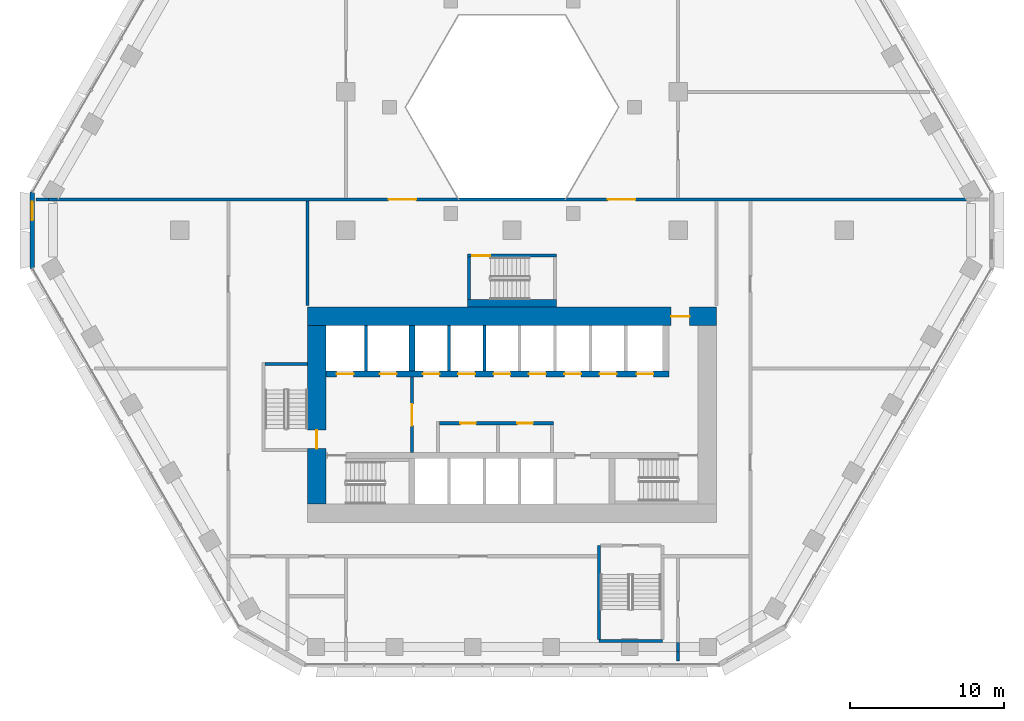
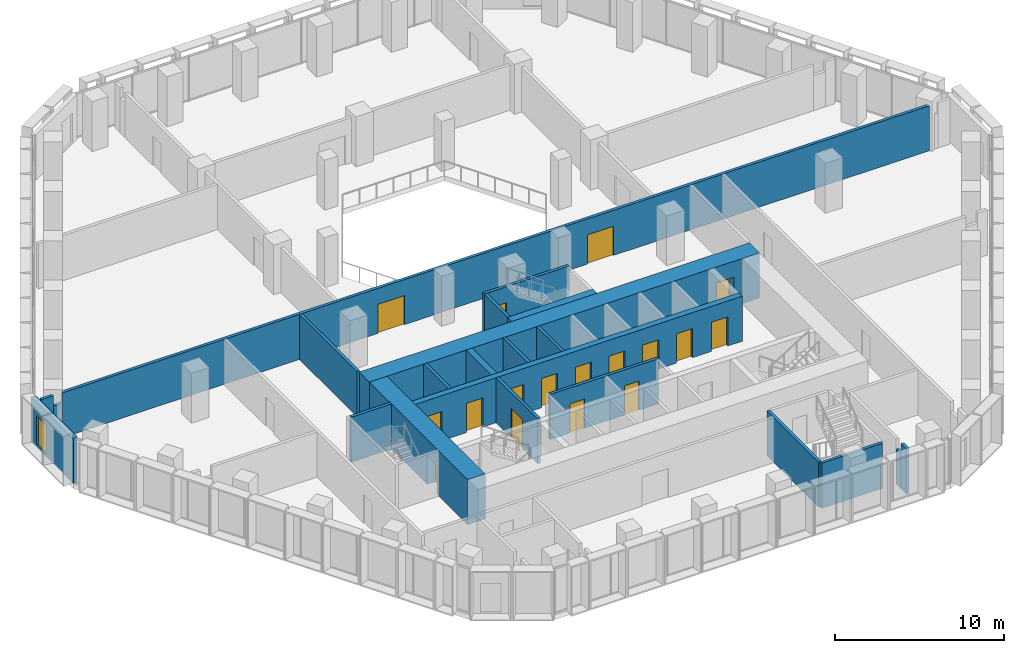
# One storey, part 12 of 22: 22 walls, 17 doors, 1 window, 18 openings.
"""IFC4 building model written with IfcOpenShell, lengths in metres."""

from ifc_helpers import new_model, si_unit, direction, frame, frame_2d, origin, place, context, subcontext, project, spatial, polyline, rectangle, outline, extrude, material, layer, layer_set, type_object, element, fill, save


model = new_model("IFC4")

# Units and contexts
model_context = context("Model", 3, precision=1e-05, world=origin(), true_north=direction((0.0, 1.0)))
body_context = subcontext(model_context, "Body", "Model", "MODEL_VIEW")
ifc_project = project(units=[si_unit("LENGTHUNIT", "METRE"), si_unit("AREAUNIT", "SQUARE_METRE"), si_unit("VOLUMEUNIT", "CUBIC_METRE"), si_unit("PLANEANGLEUNIT", "RADIAN"), si_unit("MASSUNIT", "GRAM", prefix="KILO")], contexts=[model_context])

# Site, building, storey
site_placement = place(None, origin())
site = spatial("IfcSite", under=ifc_project, at=site_placement, CompositionType="ELEMENT")
building_placement = place(site_placement, origin())
building = spatial("IfcBuilding", under=site, at=building_placement, Name="Beryl Residences", CompositionType="ELEMENT")
storey_placement = place(building_placement, frame((0.0, 0.0, 12.60009765625)))
storey = spatial("IfcBuildingStorey", under=building, at=storey_placement, Name="L03", CompositionType="ELEMENT", Elevation=12.60009765625)

# Wall, opening, window
ifc_material_1 = material(Name="Composite metal panel with mineral wool insulation")
ifc_layer_1 = layer(ifc_material_1, 0.300048828125)
ifc_layer_set_1 = layer_set([ifc_layer_1], Name="ES1 pale metal composite panel wall 300 mm")
wall_type_1 = type_object("IfcWallType", Name="ES1 pale metal composite panel wall 300 mm", PredefinedType="SOLIDWALL", material=ifc_layer_set_1)
wall_1_placement = place(storey_placement, frame((-31.199951171875, 2.5, 0.0), z_axis=(0.0, 0.0, 1.0), x_axis=(0.0, -1.0, 0.0)))
wall_1 = element("IfcWall", 1, at=wall_1_placement, inside=storey, type_object=wall_type_1, Name="ES1 external wall L03 NW-SW", PredefinedType="SOLIDWALL", context=body_context, shape_type="SweptSolid", body=[
    extrude(outline(polyline([(0.0, -0.14990234375), (5.0, -0.14990234375), (4.919677734375, 0.14990234375), (0.080322265625, 0.14990234375), (0.0, -0.14990234375)])), origin(), (0.0, 0.0, 1.0), 3.25),
])
opening_1_placement = place(wall_1_placement, frame((0.64990234375, 0.0, 0.14990234375)))
opening_1 = element("IfcOpeningElement", 2, at=opening_1_placement, cuts=wall_1, Name="Opening W2", PredefinedType="OPENING", context=body_context, shape_type="SweptSolid", body=[
    extrude(rectangle(XDim=1.199951171875, YDim=2.10009765625, at=frame_2d((0.60009765625, 1.050048828125))), frame((0.0, 0.159912109375, 0.0), z_axis=(0.0, -1.0, 0.0), x_axis=(1.0, 0.0, 0.0)), (0.0, 0.0, 1.0), 0.320068359375),
])
ifc_material_2 = material(Name="Aluminium and clear glass", Category="aluminium")
window_type = type_object("IfcWindowType", Name="W2 chamfer window 1200 x 2100 mm", PartitioningType="SINGLE_PANEL", PredefinedType="WINDOW", material=ifc_material_2)
window_placement = place(opening_1_placement, origin())
window = element("IfcWindow", 3, at=window_placement, inside=storey, type_object=window_type, Name="W2 window L03 NW-SW 1", OverallHeight=2.10009765625, OverallWidth=1.199951171875, PartitioningType="SINGLE_PANEL", PredefinedType="WINDOW", context=body_context, shape_type="SweptSolid", body=[
    extrude(rectangle(XDim=1.199951171875, YDim=2.10009765625, at=frame_2d((0.60009765625, 1.050048828125))), frame((0.0, 0.030029296875, 0.0), z_axis=(0.0, -1.0, 0.0), x_axis=(1.0, 0.0, 0.0)), (0.0, 0.0, 1.0), 0.06005859375),
])
fill(opening_1, window)

# Wall, opening, door
ifc_material_3 = material(Name="Concrete masonry", Category="masonry")
ifc_layer_2 = layer(ifc_material_3, 0.199951171875)
ifc_layer_set_2 = layer_set([ifc_layer_2], Name="PT13 lobby wall 200 mm")
wall_type_2 = type_object("IfcWallType", Name="PT13 lobby wall 200 mm", PredefinedType="PARTITIONING", material=ifc_layer_set_2)
wall_2_placement = place(storey_placement, frame((-6.5, -14.449951171875, 0.0), z_axis=(0.0, 0.0, 1.0), x_axis=(0.0, 1.0, 0.0)))
wall_2 = element("IfcWall", 4, at=wall_2_placement, inside=storey, type_object=wall_type_2, Name="Lobby wall 06", PredefinedType="PARTITIONING", context=body_context, shape_type="SweptSolid", body=[
    extrude(rectangle(XDim=4.89990234375, YDim=0.199951171875, at=frame_2d((2.449951171875, 0.0))), origin(), (0.0, 0.0, 1.0), 3.25),
])
opening_2_placement = place(wall_2_placement, frame((3.14990234375, 0.0, 0.0), z_axis=(0.0, 0.0, 1.0), x_axis=(-1.0, 0.0, 0.0)))
opening_2 = element("IfcOpeningElement", 5, at=opening_2_placement, cuts=wall_2, Name="Opening FD-FFL", PredefinedType="OPENING", context=body_context, shape_type="SweptSolid", body=[
    extrude(rectangle(XDim=1.39990234375, YDim=2.10009765625, at=frame_2d((0.699951171875, 1.050048828125))), frame((0.0, 0.10986328125, 0.0), z_axis=(0.0, -1.0, 0.0), x_axis=(1.0, 0.0, 0.0)), (0.0, 0.0, 1.0), 0.219970703125),
])
ifc_material_4 = material(Name="Steel door leaf in steel frame", Category="steel")
door_type_1 = type_object("IfcDoorType", Name="D5 lobby door 1400 x 2100 mm", OperationType="DOUBLE_DOOR_SINGLE_SWING", PredefinedType="DOOR", material=ifc_material_4)
door_1_placement = place(opening_2_placement, origin())
door_1 = element("IfcDoor", 6, at=door_1_placement, inside=storey, type_object=door_type_1, Name="Door FD-FFL L03 001", OperationType="DOUBLE_DOOR_SINGLE_SWING", OverallHeight=2.10009765625, OverallWidth=1.39990234375, PredefinedType="DOOR", context=body_context, shape_type="SweptSolid", body=[
    extrude(rectangle(XDim=1.39990234375, YDim=2.10009765625, at=frame_2d((0.699951171875, 1.050048828125))), frame((0.0, 0.02490234375, 0.0), z_axis=(0.0, -1.0, 0.0), x_axis=(1.0, 0.0, 0.0)), (0.0, 0.0, 1.0), 0.050048828125),
])
fill(opening_2, door_1)

# Wall, openings, doors
wall_3_placement = place(storey_placement, frame((-4.699951171875, -12.550048828125, 0.0), z_axis=(0.0, 0.0, 1.0), x_axis=(1.0, 0.0, 0.0)))
wall_3 = element("IfcWall", 7, at=wall_3_placement, inside=storey, type_object=wall_type_2, Name="Lobby wall 08", PredefinedType="PARTITIONING", context=body_context, shape_type="SweptSolid", body=[
    extrude(rectangle(XDim=7.39990234375, YDim=0.199951171875, at=frame_2d((3.699951171875, 0.0))), origin(), (0.0, 0.0, 1.0), 3.25),
])
opening_3_placement = place(wall_3_placement, frame((2.35009765625, 0.0, 0.0), z_axis=(0.0, 0.0, 1.0), x_axis=(-1.0, 0.0, 0.0)))
opening_3 = element("IfcOpeningElement", 8, at=opening_3_placement, cuts=wall_3, Name="Opening CD-D-A1", PredefinedType="OPENING", context=body_context, shape_type="SweptSolid", body=[
    extrude(rectangle(XDim=1.0, YDim=2.10009765625, at=frame_2d((0.5, 1.050048828125))), frame((0.0, 0.10986328125, 0.0), z_axis=(0.0, -1.0, 0.0), x_axis=(1.0, 0.0, 0.0)), (0.0, 0.0, 1.0), 0.219970703125),
])
opening_4_placement = place(wall_3_placement, frame((6.050048828125, 0.0, 0.0), z_axis=(0.0, 0.0, 1.0), x_axis=(-1.0, 0.0, 0.0)))
opening_4 = element("IfcOpeningElement", 9, at=opening_4_placement, cuts=wall_3, Name="Opening CD-D-A2", PredefinedType="OPENING", context=body_context, shape_type="SweptSolid", body=[
    extrude(rectangle(XDim=1.0, YDim=2.10009765625, at=frame_2d((0.5, 1.050048828125))), frame((0.0, 0.10986328125, 0.0), z_axis=(0.0, -1.0, 0.0), x_axis=(1.0, 0.0, 0.0)), (0.0, 0.0, 1.0), 0.219970703125),
])
ifc_material_5 = material(Name="Steel door leaf in steel frame", Category="steel")
door_type_2 = type_object("IfcDoorType", Name="D18 service room door 1000 x 2100 mm", OperationType="SINGLE_SWING_LEFT", PredefinedType="DOOR", material=ifc_material_5)
door_2_placement = place(opening_3_placement, origin())
door_2 = element("IfcDoor", 10, at=door_2_placement, inside=storey, type_object=door_type_2, Name="Door CD-D-A1 L03 001", OperationType="SINGLE_SWING_RIGHT", OverallHeight=2.10009765625, OverallWidth=1.0, PredefinedType="DOOR", context=body_context, shape_type="SweptSolid", body=[
    extrude(rectangle(XDim=1.0, YDim=2.10009765625, at=frame_2d((0.5, 1.050048828125))), frame((0.0, 0.02490234375, 0.0), z_axis=(0.0, -1.0, 0.0), x_axis=(1.0, 0.0, 0.0)), (0.0, 0.0, 1.0), 0.050048828125),
])
fill(opening_3, door_2)
door_3_placement = place(opening_4_placement, origin())
door_3 = element("IfcDoor", 11, at=door_3_placement, inside=storey, type_object=door_type_2, Name="Door CD-D-A2 L03 001", OperationType="SINGLE_SWING_LEFT", OverallHeight=2.10009765625, OverallWidth=1.0, PredefinedType="DOOR", context=body_context, shape_type="SweptSolid", body=[
    extrude(rectangle(XDim=1.0, YDim=2.10009765625, at=frame_2d((0.5, 1.050048828125))), frame((0.0, 0.02490234375, 0.0), z_axis=(0.0, -1.0, 0.0), x_axis=(1.0, 0.0, 0.0)), (0.0, 0.0, 1.0), 0.050048828125),
])
fill(opening_4, door_3)

# Walls
ifc_material_6 = material(Name="Double stud gypsum board wall")
ifc_layer_3 = layer(ifc_material_6, 0.199951171875)
ifc_layer_set_3 = layer_set([ifc_layer_3], Name="PT4 corridor wall 200 mm double stud")
wall_type_3 = type_object("IfcWallType", Name="PT4 corridor wall 200 mm double stud", PredefinedType="PARTITIONING", material=ifc_layer_set_3)
wall_4_placement = place(storey_placement, frame((-30.969970703125, 2.0, 0.0), z_axis=(0.0, 0.0, 1.0), x_axis=(1.0, 0.0, 0.0)))
element("IfcWall", 12, at=wall_4_placement, inside=storey, type_object=wall_type_3, Name="Wall PT4 L03 008", PredefinedType="PARTITIONING", context=body_context, shape_type="SweptSolid", body=[
    extrude(rectangle(XDim=0.821044921875, YDim=0.199951171875, at=frame_2d((0.41064453125, 0.0))), origin(), (0.0, 0.0, 1.0), 3.25),
])
wall_5_placement = place(storey_placement, frame((-30.14892578125, 2.0, 0.0), z_axis=(0.0, 0.0, 1.0), x_axis=(1.0, 0.0, 0.0)))
element("IfcWall", 13, at=wall_5_placement, inside=storey, type_object=wall_type_3, Name="Wall PT4 L03 009", PredefinedType="PARTITIONING", context=body_context, shape_type="SweptSolid", body=[
    extrude(rectangle(XDim=0.599853515625, YDim=0.199951171875, at=frame_2d((0.2998046875, 0.0))), origin(), (0.0, 0.0, 1.0), 2.52001953125),
])

# Wall, openings, doors
wall_6_placement = place(storey_placement, frame((-29.549072265625, 2.0, 0.0), z_axis=(0.0, 0.0, 1.0), x_axis=(1.0, 0.0, 0.0)))
wall_6 = element("IfcWall", 14, at=wall_6_placement, inside=storey, type_object=wall_type_3, Name="Wall PT4 L03 010", PredefinedType="PARTITIONING", context=body_context, shape_type="SweptSolid", body=[
    extrude(rectangle(XDim=59.09716796875, YDim=0.199951171875, at=frame_2d((29.548583984375, 0.0))), origin(), (0.0, 0.0, 1.0), 3.25),
])
opening_5_placement = place(wall_6_placement, frame((21.51708984375, 0.0, 0.0)))
opening_5 = element("IfcOpeningElement", 15, at=opening_5_placement, cuts=wall_6, Name="Opening L03-13", PredefinedType="OPENING", context=body_context, shape_type="SweptSolid", body=[
    extrude(rectangle(XDim=1.800048828125, YDim=2.10009765625, at=frame_2d((0.89990234375, 1.050048828125))), frame((0.0, 0.10986328125, 0.0), z_axis=(0.0, -1.0, 0.0), x_axis=(1.0, 0.0, 0.0)), (0.0, 0.0, 1.0), 0.219970703125),
])
opening_6_placement = place(wall_6_placement, frame((35.781005859375, 0.0, 0.0)))
opening_6 = element("IfcOpeningElement", 16, at=opening_6_placement, cuts=wall_6, Name="Opening L03-14", PredefinedType="OPENING", context=body_context, shape_type="SweptSolid", body=[
    extrude(rectangle(XDim=1.800048828125, YDim=2.10009765625, at=frame_2d((0.89990234375, 1.050048828125))), frame((0.0, 0.10986328125, 0.0), z_axis=(0.0, -1.0, 0.0), x_axis=(1.0, 0.0, 0.0)), (0.0, 0.0, 1.0), 0.219970703125),
])
ifc_material_7 = material(Name="Timber door leaf", Category="wood")
door_type_3 = type_object("IfcDoorType", Name="D20 corridor door 1800 x 2100 mm", OperationType="DOUBLE_DOOR_SINGLE_SWING", PredefinedType="DOOR", material=ifc_material_7)
door_4_placement = place(opening_5_placement, origin())
door_4 = element("IfcDoor", 17, at=door_4_placement, inside=storey, type_object=door_type_3, Name="Door L03-13 L03 001", OperationType="DOUBLE_DOOR_SINGLE_SWING", OverallHeight=2.10009765625, OverallWidth=1.800048828125, PredefinedType="DOOR", context=body_context, shape_type="SweptSolid", body=[
    extrude(rectangle(XDim=1.800048828125, YDim=2.10009765625, at=frame_2d((0.89990234375, 1.050048828125))), frame((0.0, 0.02490234375, 0.0), z_axis=(0.0, -1.0, 0.0), x_axis=(1.0, 0.0, 0.0)), (0.0, 0.0, 1.0), 0.050048828125),
])
fill(opening_5, door_4)
door_5_placement = place(opening_6_placement, origin())
door_5 = element("IfcDoor", 18, at=door_5_placement, inside=storey, type_object=door_type_3, Name="Door L03-14 L03 001", OperationType="DOUBLE_DOOR_SINGLE_SWING", OverallHeight=2.10009765625, OverallWidth=1.800048828125, PredefinedType="DOOR", context=body_context, shape_type="SweptSolid", body=[
    extrude(rectangle(XDim=1.800048828125, YDim=2.10009765625, at=frame_2d((0.89990234375, 1.050048828125))), frame((0.0, 0.02490234375, 0.0), z_axis=(0.0, -1.0, 0.0), x_axis=(1.0, 0.0, 0.0)), (0.0, 0.0, 1.0), 0.050048828125),
])
fill(opening_6, door_5)

# Wall
wall_7_placement = place(storey_placement, frame((-13.300048828125, -4.8798828125, 0.0), z_axis=(0.0, 0.0, 1.0), x_axis=(0.0, 1.0, 0.0)))
element("IfcWall", 19, at=wall_7_placement, inside=storey, type_object=wall_type_3, Name="Wall PT4 L03 020", PredefinedType="PARTITIONING", context=body_context, shape_type="SweptSolid", body=[
    extrude(rectangle(XDim=6.77978515625, YDim=0.199951171875, at=frame_2d((3.389892578125, 0.0))), origin(), (0.0, 0.0, 1.0), 3.25),
])

# Wall, opening, door
ifc_material_8 = material(Name="Concrete C40/50", Category="concrete")
ifc_layer_4 = layer(ifc_material_8, 0.199951171875)
ifc_layer_set_4 = layer_set([ifc_layer_4], Name="PT5 stair enclosure wall 200 mm reinforced concrete C40/50")
wall_type_4 = type_object("IfcWallType", Name="PT5 stair enclosure wall 200 mm reinforced concrete C40/50", PredefinedType="SOLIDWALL", material=ifc_layer_set_4)
wall_8_placement = place(storey_placement, frame((-2.89990234375, -1.64990234375, 0.0), z_axis=(0.0, 0.0, 1.0), x_axis=(1.0, 0.0, 0.0)))
wall_8 = element("IfcWall", 20, at=wall_8_placement, inside=storey, type_object=wall_type_4, Name="Wall PT5 L03 001", PredefinedType="SOLIDWALL", context=body_context, shape_type="SweptSolid", body=[
    extrude(rectangle(XDim=5.7998046875, YDim=0.199951171875, at=frame_2d((2.89990234375, 0.0))), origin(), (0.0, 0.0, 1.0), 3.25),
])
opening_7_placement = place(wall_8_placement, frame((0.300048828125, 0.0, 0.0)))
opening_7 = element("IfcOpeningElement", 21, at=opening_7_placement, cuts=wall_8, Name="Opening DS04", PredefinedType="OPENING", context=body_context, shape_type="SweptSolid", body=[
    extrude(rectangle(XDim=1.199951171875, YDim=2.10009765625, at=frame_2d((0.60009765625, 1.050048828125))), frame((0.0, 0.10986328125, 0.0), z_axis=(0.0, -1.0, 0.0), x_axis=(1.0, 0.0, 0.0)), (0.0, 0.0, 1.0), 0.219970703125),
])
ifc_material_9 = material(Name="Steel door leaf in steel frame", Category="steel")
door_type_4 = type_object("IfcDoorType", Name="D4 stair door 1200 x 2100 mm", OperationType="SINGLE_SWING_LEFT", PredefinedType="DOOR", material=ifc_material_9)
door_6_placement = place(opening_7_placement, origin())
door_6 = element("IfcDoor", 22, at=door_6_placement, inside=storey, type_object=door_type_4, Name="Door DS04 L03 001", OperationType="SINGLE_SWING_LEFT", OverallHeight=2.10009765625, OverallWidth=1.199951171875, PredefinedType="DOOR", context=body_context, shape_type="SweptSolid", body=[
    extrude(rectangle(XDim=1.199951171875, YDim=2.10009765625, at=frame_2d((0.60009765625, 1.050048828125))), frame((0.0, 0.02490234375, 0.0), z_axis=(0.0, -1.0, 0.0), x_axis=(1.0, 0.0, 0.0)), (0.0, 0.0, 1.0), 0.050048828125),
])
fill(opening_7, door_6)

# Walls
wall_9_placement = place(storey_placement, frame((-2.800048828125, -4.5, 0.0), z_axis=(0.0, 0.0, 1.0), x_axis=(0.0, 1.0, 0.0)))
element("IfcWall", 23, at=wall_9_placement, inside=storey, type_object=wall_type_4, Name="Wall PT5 L03 002", PredefinedType="SOLIDWALL", context=body_context, shape_type="SweptSolid", body=[
    extrude(rectangle(XDim=2.75, YDim=0.199951171875, at=frame_2d((1.375, 0.0))), origin(), (0.0, 0.0, 1.0), 3.25),
])
wall_10_placement = place(storey_placement, frame((5.64990234375, -26.699951171875, 0.0), z_axis=(0.0, 0.0, 1.0), x_axis=(1.0, 0.0, 0.0)))
element("IfcWall", 24, at=wall_10_placement, inside=storey, type_object=wall_type_4, Name="Wall PT5 L03 004", PredefinedType="SOLIDWALL", context=body_context, shape_type="SweptSolid", body=[
    extrude(rectangle(XDim=4.150146484375, YDim=0.199951171875, at=frame_2d((2.0751953125, 0.0))), origin(), (0.0, 0.0, 1.0), 3.25),
])
wall_11_placement = place(storey_placement, frame((5.64990234375, -26.60009765625, 0.0), z_axis=(0.0, 0.0, 1.0), x_axis=(0.0, 1.0, 0.0)))
element("IfcWall", 25, at=wall_11_placement, inside=storey, type_object=wall_type_4, Name="Wall PT5 L03 006", PredefinedType="SOLIDWALL", context=body_context, shape_type="SweptSolid", body=[
    extrude(rectangle(XDim=6.10009765625, YDim=0.199951171875, at=frame_2d((3.050048828125, 0.0))), origin(), (0.0, 0.0, 1.0), 3.25),
])
wall_12_placement = place(storey_placement, frame((-16.050048828125, -8.699951171875, 0.0), z_axis=(0.0, 0.0, 1.0), x_axis=(1.0, 0.0, 0.0)))
element("IfcWall", 26, at=wall_12_placement, inside=storey, type_object=wall_type_4, Name="Stair wall 03", PredefinedType="SOLIDWALL", context=body_context, shape_type="SweptSolid", body=[
    extrude(rectangle(XDim=2.75, YDim=0.199951171875, at=frame_2d((1.375, 0.0))), origin(), (0.0, 0.0, 1.0), 3.25),
])
ifc_material_10 = material(Name="Concrete C40/50", Category="concrete")
ifc_layer_5 = layer(ifc_material_10, 0.5)
ifc_layer_set_5 = layer_set([ifc_layer_5], Name="PT5-500 stair enclosure wall 500 mm")
wall_type_5 = type_object("IfcWallType", Name="PT5-500 stair enclosure wall 500 mm", PredefinedType="SOLIDWALL", material=ifc_layer_set_5)
wall_13_placement = place(storey_placement, frame((-2.89990234375, -4.75, 0.0), z_axis=(0.0, 0.0, 1.0), x_axis=(1.0, 0.0, 0.0)))
element("IfcWall", 27, at=wall_13_placement, inside=storey, type_object=wall_type_5, Name="Wall PT5-500 L03 001", PredefinedType="SOLIDWALL", context=body_context, shape_type="SweptSolid", body=[
    extrude(rectangle(XDim=5.7998046875, YDim=0.5, at=frame_2d((2.89990234375, 0.0))), origin(), (0.0, 0.0, 1.0), 3.25),
])
ifc_material_11 = material(Name="Concrete C40/50", Category="concrete")
ifc_layer_6 = layer(ifc_material_11, 0.199951171875)
ifc_layer_set_6 = layer_set([ifc_layer_6], Name="PT6 lift shaft wall 200 mm reinforced concrete C40/50")
wall_type_6 = type_object("IfcWallType", Name="PT6 lift shaft wall 200 mm reinforced concrete C40/50", PredefinedType="SOLIDWALL", material=ifc_layer_set_6)
for number, where, z_axis, x_axis, name in (
    (28, (-9.5, -9.14990234375, 0.0), (0.0, 0.0, 1.0), (0.0, 1.0, 0.0), "Lift shaft wall 05"),
    (29, (-4.10009765625, -9.14990234375, 0.0), (0.0, 0.0, 1.0), (0.0, 1.0, 0.0), "Lift shaft wall 10"),
    (30, (-1.800048828125, -9.14990234375, 0.0), (0.0, 0.0, 1.0), (0.0, 1.0, 0.0), "Lift shaft wall 12"),
):
    element("IfcWall", number, at=place(storey_placement, frame(where, z_axis=z_axis, x_axis=x_axis)), inside=storey, type_object=wall_type_6, Name=name, PredefinedType="SOLIDWALL", context=body_context, shape_type="SweptSolid", body=[
        extrude(rectangle(XDim=2.949951171875, YDim=0.199951171875, at=frame_2d((1.47509765625, 0.0))), origin(), (0.0, 0.0, 1.0), 3.25),
    ])
ifc_material_12 = material(Name="Concrete masonry", Category="masonry")
ifc_layer_7 = layer(ifc_material_12, 0.199951171875)
ifc_layer_set_7 = layer_set([ifc_layer_7], Name="PT8-200 service room wall 200 mm")
wall_type_7 = type_object("IfcWallType", Name="PT8-200 service room wall 200 mm", PredefinedType="PARTITIONING", material=ifc_layer_set_7)
wall_14_placement = place(storey_placement, frame((10.800048828125, -28.02001953125, 0.0), z_axis=(0.0, 0.0, 1.0), x_axis=(0.0, 1.0, 0.0)))
element("IfcWall", 31, at=wall_14_placement, inside=storey, type_object=wall_type_7, Name="Wall PT8-200 L03 009", PredefinedType="PARTITIONING", context=body_context, shape_type="SweptSolid", body=[
    extrude(rectangle(XDim=0.6201171875, YDim=0.199951171875, at=frame_2d((0.31005859375, 0.0))), origin(), (0.0, 0.0, 1.0), 3.25),
])
wall_15_placement = place(storey_placement, frame((10.800048828125, -27.39990234375, 0.0), z_axis=(0.0, 0.0, 1.0), x_axis=(0.0, 1.0, 0.0)))
element("IfcWall", 32, at=wall_15_placement, inside=storey, type_object=wall_type_7, Name="Wall PT8-200 L03 010", PredefinedType="PARTITIONING", context=body_context, shape_type="SweptSolid", body=[
    extrude(rectangle(XDim=0.599853515625, YDim=0.199951171875, at=frame_2d((0.2998046875, 0.0))), origin(), (0.0, 0.0, 1.0), 2.52001953125),
])

# Wall, opening, door
ifc_material_13 = material(Name="Concrete C80/95", Category="concrete")
ifc_layer_8 = layer(ifc_material_13, 1.199951171875)
ifc_layer_set_8 = layer_set([ifc_layer_8], Name="SW1 core outer wall 1200 mm C80/95")
wall_type_8 = type_object("IfcWallType", Name="SW1 core outer wall 1200 mm C80/95", PredefinedType="SHEAR", material=ifc_layer_set_8)
wall_16_placement = place(storey_placement, frame((-13.300048828125, -5.60009765625, 0.0), z_axis=(0.0, 0.0, 1.0), x_axis=(1.0, 0.0, 0.0)))
wall_16 = element("IfcWall", 33, at=wall_16_placement, inside=storey, type_object=wall_type_8, Name="Core wall N L03", PredefinedType="SHEAR", context=body_context, shape_type="SweptSolid", body=[
    extrude(rectangle(XDim=26.60009765625, YDim=1.199951171875, at=frame_2d((13.300048828125, 0.0))), origin(), (0.0, 0.0, 1.0), 3.25),
])
opening_8_placement = place(wall_16_placement, frame((23.64990234375, 0.0, 0.0)))
opening_8 = element("IfcOpeningElement", 34, at=opening_8_placement, cuts=wall_16, Name="Opening FD-NORTH", PredefinedType="OPENING", context=body_context, shape_type="SweptSolid", body=[
    extrude(rectangle(XDim=1.199951171875, YDim=2.10009765625, at=frame_2d((0.60009765625, 1.050048828125))), frame((0.0, 0.60986328125, 0.0), z_axis=(0.0, -1.0, 0.0), x_axis=(1.0, 0.0, 0.0)), (0.0, 0.0, 1.0), 1.219970703125),
])
ifc_material_14 = material(Name="Steel door leaf in steel frame", Category="steel")
door_type_5 = type_object("IfcDoorType", Name="D22 lobby door 1200 x 2100 mm", OperationType="DOUBLE_DOOR_SINGLE_SWING", PredefinedType="DOOR", material=ifc_material_14)
door_7_placement = place(opening_8_placement, origin())
door_7 = element("IfcDoor", 35, at=door_7_placement, inside=storey, type_object=door_type_5, Name="Door FD-NORTH L03 001", OperationType="DOUBLE_DOOR_SINGLE_SWING", OverallHeight=2.10009765625, OverallWidth=1.199951171875, PredefinedType="DOOR", context=body_context, shape_type="SweptSolid", body=[
    extrude(rectangle(XDim=1.199951171875, YDim=2.10009765625, at=frame_2d((0.60009765625, 1.050048828125))), frame((0.0, 0.02490234375, 0.0), z_axis=(0.0, -1.0, 0.0), x_axis=(1.0, 0.0, 0.0)), (0.0, 0.0, 1.0), 0.050048828125),
])
fill(opening_8, door_7)

wall_17_placement = place(storey_placement, frame((-12.699951171875, -17.800048828125, 0.0), z_axis=(0.0, 0.0, 1.0), x_axis=(0.0, 1.0, 0.0)))
wall_17 = element("IfcWall", 36, at=wall_17_placement, inside=storey, type_object=wall_type_8, Name="Core wall W L03", PredefinedType="SHEAR", context=body_context, shape_type="SweptSolid", body=[
    extrude(rectangle(XDim=11.60009765625, YDim=1.199951171875, at=frame_2d((5.800048828125, 0.0))), origin(), (0.0, 0.0, 1.0), 3.25),
])
opening_9_placement = place(wall_17_placement, frame((3.60009765625, 0.0, 0.0)))
opening_9 = element("IfcOpeningElement", 37, at=opening_9_placement, cuts=wall_17, Name="Opening SD-2", PredefinedType="OPENING", context=body_context, shape_type="SweptSolid", body=[
    extrude(rectangle(XDim=1.199951171875, YDim=2.10009765625, at=frame_2d((0.60009765625, 1.050048828125))), frame((0.0, 0.60986328125, 0.0), z_axis=(0.0, -1.0, 0.0), x_axis=(1.0, 0.0, 0.0)), (0.0, 0.0, 1.0), 1.219970703125),
])
door_8_placement = place(opening_9_placement, origin())
door_8 = element("IfcDoor", 38, at=door_8_placement, inside=storey, type_object=door_type_4, Name="Door SD-2 L03 001", OperationType="SINGLE_SWING_RIGHT", OverallHeight=2.10009765625, OverallWidth=1.199951171875, PredefinedType="DOOR", context=body_context, shape_type="SweptSolid", body=[
    extrude(rectangle(XDim=1.199951171875, YDim=2.10009765625, at=frame_2d((0.60009765625, 1.050048828125))), frame((0.0, 0.02490234375, 0.0), z_axis=(0.0, -1.0, 0.0), x_axis=(1.0, 0.0, 0.0)), (0.0, 0.0, 1.0), 0.050048828125),
])
fill(opening_9, door_8)

# Wall, openings, doors
ifc_material_15 = material(Name="Concrete C80/95", Category="concrete")
ifc_layer_9 = layer(ifc_material_15, 0.39990234375)
ifc_layer_set_9 = layer_set([ifc_layer_9], Name="SW6 core internal wall 400 mm C80/95")
wall_type_9 = type_object("IfcWallType", Name="SW6 core internal wall 400 mm C80/95", PredefinedType="SHEAR", material=ifc_layer_set_9)
wall_18_placement = place(storey_placement, frame((-12.10009765625, -9.35009765625, 0.0), z_axis=(0.0, 0.0, 1.0), x_axis=(1.0, 0.0, 0.0)))
wall_18 = element("IfcWall", 39, at=wall_18_placement, inside=storey, type_object=wall_type_9, Name="Core wall SP2 L03", PredefinedType="SHEAR", context=body_context, shape_type="SweptSolid", body=[
    extrude(rectangle(XDim=22.300048828125, YDim=0.39990234375, at=frame_2d((11.14990234375, 0.0))), origin(), (0.0, 0.0, 1.0), 3.25),
])
opening_10_placement = place(wall_18_placement, frame((0.699951171875, 0.0, 0.0)))
opening_10 = element("IfcOpeningElement", 40, at=opening_10_placement, cuts=wall_18, Name="Opening LD-FF1", PredefinedType="OPENING", context=body_context, shape_type="SweptSolid", body=[
    extrude(rectangle(XDim=1.10009765625, YDim=2.10009765625, at=frame_2d((0.550048828125, 1.050048828125))), frame((0.0, 0.2099609375, 0.0), z_axis=(0.0, -1.0, 0.0), x_axis=(1.0, 0.0, 0.0)), (0.0, 0.0, 1.0), 0.419921875),
])
opening_11_placement = place(wall_18_placement, frame((3.5, 0.0, 0.0)))
opening_11 = element("IfcOpeningElement", 41, at=opening_11_placement, cuts=wall_18, Name="Opening LD-FF2", PredefinedType="OPENING", context=body_context, shape_type="SweptSolid", body=[
    extrude(rectangle(XDim=1.10009765625, YDim=2.10009765625, at=frame_2d((0.550048828125, 1.050048828125))), frame((0.0, 0.2099609375, 0.0), z_axis=(0.0, -1.0, 0.0), x_axis=(1.0, 0.0, 0.0)), (0.0, 0.0, 1.0), 0.419921875),
])
opening_12_placement = place(wall_18_placement, frame((6.300048828125, 0.0, 0.0)))
opening_12 = element("IfcOpeningElement", 42, at=opening_12_placement, cuts=wall_18, Name="Opening LD-LR1", PredefinedType="OPENING", context=body_context, shape_type="SweptSolid", body=[
    extrude(rectangle(XDim=1.10009765625, YDim=2.10009765625, at=frame_2d((0.550048828125, 1.050048828125))), frame((0.0, 0.2099609375, 0.0), z_axis=(0.0, -1.0, 0.0), x_axis=(1.0, 0.0, 0.0)), (0.0, 0.0, 1.0), 0.419921875),
])
opening_13_placement = place(wall_18_placement, frame((8.60009765625, 0.0, 0.0)))
opening_13 = element("IfcOpeningElement", 43, at=opening_13_placement, cuts=wall_18, Name="Opening LD-LR2", PredefinedType="OPENING", context=body_context, shape_type="SweptSolid", body=[
    extrude(rectangle(XDim=1.10009765625, YDim=2.10009765625, at=frame_2d((0.550048828125, 1.050048828125))), frame((0.0, 0.2099609375, 0.0), z_axis=(0.0, -1.0, 0.0), x_axis=(1.0, 0.0, 0.0)), (0.0, 0.0, 1.0), 0.419921875),
])
opening_14_placement = place(wall_18_placement, frame((10.89990234375, 0.0, 0.0)))
opening_14 = element("IfcOpeningElement", 44, at=opening_14_placement, cuts=wall_18, Name="Opening LD-LR3", PredefinedType="OPENING", context=body_context, shape_type="SweptSolid", body=[
    extrude(rectangle(XDim=1.10009765625, YDim=2.10009765625, at=frame_2d((0.550048828125, 1.050048828125))), frame((0.0, 0.2099609375, 0.0), z_axis=(0.0, -1.0, 0.0), x_axis=(1.0, 0.0, 0.0)), (0.0, 0.0, 1.0), 0.419921875),
])
opening_15_placement = place(wall_18_placement, frame((13.199951171875, 0.0, 0.0)))
opening_15 = element("IfcOpeningElement", 45, at=opening_15_placement, cuts=wall_18, Name="Opening LD-LR4", PredefinedType="OPENING", context=body_context, shape_type="SweptSolid", body=[
    extrude(rectangle(XDim=1.10009765625, YDim=2.10009765625, at=frame_2d((0.550048828125, 1.050048828125))), frame((0.0, 0.2099609375, 0.0), z_axis=(0.0, -1.0, 0.0), x_axis=(1.0, 0.0, 0.0)), (0.0, 0.0, 1.0), 0.419921875),
])
opening_16_placement = place(wall_18_placement, frame((15.5, 0.0, 0.0)))
opening_16 = element("IfcOpeningElement", 46, at=opening_16_placement, cuts=wall_18, Name="Opening LD-LR5", PredefinedType="OPENING", context=body_context, shape_type="SweptSolid", body=[
    extrude(rectangle(XDim=1.10009765625, YDim=2.10009765625, at=frame_2d((0.550048828125, 1.050048828125))), frame((0.0, 0.2099609375, 0.0), z_axis=(0.0, -1.0, 0.0), x_axis=(1.0, 0.0, 0.0)), (0.0, 0.0, 1.0), 0.419921875),
])
opening_17_placement = place(wall_18_placement, frame((17.800048828125, 0.0, 0.0)))
opening_17 = element("IfcOpeningElement", 47, at=opening_17_placement, cuts=wall_18, Name="Opening LD-LR6", PredefinedType="OPENING", context=body_context, shape_type="SweptSolid", body=[
    extrude(rectangle(XDim=1.10009765625, YDim=2.10009765625, at=frame_2d((0.550048828125, 1.050048828125))), frame((0.0, 0.2099609375, 0.0), z_axis=(0.0, -1.0, 0.0), x_axis=(1.0, 0.0, 0.0)), (0.0, 0.0, 1.0), 0.419921875),
])
opening_18_placement = place(wall_18_placement, frame((20.199951171875, 0.0, 0.0)))
opening_18 = element("IfcOpeningElement", 48, at=opening_18_placement, cuts=wall_18, Name="Opening LD-SL1", PredefinedType="OPENING", context=body_context, shape_type="SweptSolid", body=[
    extrude(rectangle(XDim=1.10009765625, YDim=2.10009765625, at=frame_2d((0.550048828125, 1.050048828125))), frame((0.0, 0.2099609375, 0.0), z_axis=(0.0, -1.0, 0.0), x_axis=(1.0, 0.0, 0.0)), (0.0, 0.0, 1.0), 0.419921875),
])
ifc_material_16 = material(Name="Stainless steel sliding door", Category="steel")
door_type_6 = type_object("IfcDoorType", Name="LD1 lift landing door 1100 x 2100 mm", OperationType="DOUBLE_DOOR_SLIDING", PredefinedType="DOOR", material=ifc_material_16)
door_9_placement = place(opening_10_placement, origin())
door_9 = element("IfcDoor", 49, at=door_9_placement, inside=storey, type_object=door_type_6, Name="Lift landing door FF1", OperationType="DOUBLE_DOOR_SLIDING", OverallHeight=2.10009765625, OverallWidth=1.10009765625, PredefinedType="DOOR", context=body_context, shape_type="SweptSolid", body=[
    extrude(rectangle(XDim=1.10009765625, YDim=2.10009765625, at=frame_2d((0.550048828125, 1.050048828125))), frame((0.0, 0.02490234375, 0.0), z_axis=(0.0, -1.0, 0.0), x_axis=(1.0, 0.0, 0.0)), (0.0, 0.0, 1.0), 0.050048828125),
])
fill(opening_10, door_9)
door_10_placement = place(opening_11_placement, origin())
door_10 = element("IfcDoor", 50, at=door_10_placement, inside=storey, type_object=door_type_6, Name="Lift landing door FF2", OperationType="DOUBLE_DOOR_SLIDING", OverallHeight=2.10009765625, OverallWidth=1.10009765625, PredefinedType="DOOR", context=body_context, shape_type="SweptSolid", body=[
    extrude(rectangle(XDim=1.10009765625, YDim=2.10009765625, at=frame_2d((0.550048828125, 1.050048828125))), frame((0.0, 0.02490234375, 0.0), z_axis=(0.0, -1.0, 0.0), x_axis=(1.0, 0.0, 0.0)), (0.0, 0.0, 1.0), 0.050048828125),
])
fill(opening_11, door_10)
door_11_placement = place(opening_12_placement, origin())
door_11 = element("IfcDoor", 51, at=door_11_placement, inside=storey, type_object=door_type_6, Name="Lift landing door LR1", OperationType="DOUBLE_DOOR_SLIDING", OverallHeight=2.10009765625, OverallWidth=1.10009765625, PredefinedType="DOOR", context=body_context, shape_type="SweptSolid", body=[
    extrude(rectangle(XDim=1.10009765625, YDim=2.10009765625, at=frame_2d((0.550048828125, 1.050048828125))), frame((0.0, 0.02490234375, 0.0), z_axis=(0.0, -1.0, 0.0), x_axis=(1.0, 0.0, 0.0)), (0.0, 0.0, 1.0), 0.050048828125),
])
fill(opening_12, door_11)
door_12_placement = place(opening_13_placement, origin())
door_12 = element("IfcDoor", 52, at=door_12_placement, inside=storey, type_object=door_type_6, Name="Lift landing door LR2", OperationType="DOUBLE_DOOR_SLIDING", OverallHeight=2.10009765625, OverallWidth=1.10009765625, PredefinedType="DOOR", context=body_context, shape_type="SweptSolid", body=[
    extrude(rectangle(XDim=1.10009765625, YDim=2.10009765625, at=frame_2d((0.550048828125, 1.050048828125))), frame((0.0, 0.02490234375, 0.0), z_axis=(0.0, -1.0, 0.0), x_axis=(1.0, 0.0, 0.0)), (0.0, 0.0, 1.0), 0.050048828125),
])
fill(opening_13, door_12)
door_13_placement = place(opening_14_placement, origin())
door_13 = element("IfcDoor", 53, at=door_13_placement, inside=storey, type_object=door_type_6, Name="Lift landing door LR3", OperationType="DOUBLE_DOOR_SLIDING", OverallHeight=2.10009765625, OverallWidth=1.10009765625, PredefinedType="DOOR", context=body_context, shape_type="SweptSolid", body=[
    extrude(rectangle(XDim=1.10009765625, YDim=2.10009765625, at=frame_2d((0.550048828125, 1.050048828125))), frame((0.0, 0.02490234375, 0.0), z_axis=(0.0, -1.0, 0.0), x_axis=(1.0, 0.0, 0.0)), (0.0, 0.0, 1.0), 0.050048828125),
])
fill(opening_14, door_13)
door_14_placement = place(opening_15_placement, origin())
door_14 = element("IfcDoor", 54, at=door_14_placement, inside=storey, type_object=door_type_6, Name="Lift landing door LR4", OperationType="DOUBLE_DOOR_SLIDING", OverallHeight=2.10009765625, OverallWidth=1.10009765625, PredefinedType="DOOR", context=body_context, shape_type="SweptSolid", body=[
    extrude(rectangle(XDim=1.10009765625, YDim=2.10009765625, at=frame_2d((0.550048828125, 1.050048828125))), frame((0.0, 0.02490234375, 0.0), z_axis=(0.0, -1.0, 0.0), x_axis=(1.0, 0.0, 0.0)), (0.0, 0.0, 1.0), 0.050048828125),
])
fill(opening_15, door_14)
door_15_placement = place(opening_16_placement, origin())
door_15 = element("IfcDoor", 55, at=door_15_placement, inside=storey, type_object=door_type_6, Name="Lift landing door LR5", OperationType="DOUBLE_DOOR_SLIDING", OverallHeight=2.10009765625, OverallWidth=1.10009765625, PredefinedType="DOOR", context=body_context, shape_type="SweptSolid", body=[
    extrude(rectangle(XDim=1.10009765625, YDim=2.10009765625, at=frame_2d((0.550048828125, 1.050048828125))), frame((0.0, 0.02490234375, 0.0), z_axis=(0.0, -1.0, 0.0), x_axis=(1.0, 0.0, 0.0)), (0.0, 0.0, 1.0), 0.050048828125),
])
fill(opening_16, door_15)
door_16_placement = place(opening_17_placement, origin())
door_16 = element("IfcDoor", 56, at=door_16_placement, inside=storey, type_object=door_type_6, Name="Lift landing door LR6", OperationType="DOUBLE_DOOR_SLIDING", OverallHeight=2.10009765625, OverallWidth=1.10009765625, PredefinedType="DOOR", context=body_context, shape_type="SweptSolid", body=[
    extrude(rectangle(XDim=1.10009765625, YDim=2.10009765625, at=frame_2d((0.550048828125, 1.050048828125))), frame((0.0, 0.02490234375, 0.0), z_axis=(0.0, -1.0, 0.0), x_axis=(1.0, 0.0, 0.0)), (0.0, 0.0, 1.0), 0.050048828125),
])
fill(opening_17, door_16)
door_17_placement = place(opening_18_placement, origin())
door_17 = element("IfcDoor", 57, at=door_17_placement, inside=storey, type_object=door_type_6, Name="Lift landing door SL1", OperationType="DOUBLE_DOOR_SLIDING", OverallHeight=2.10009765625, OverallWidth=1.10009765625, PredefinedType="DOOR", context=body_context, shape_type="SweptSolid", body=[
    extrude(rectangle(XDim=1.10009765625, YDim=2.10009765625, at=frame_2d((0.550048828125, 1.050048828125))), frame((0.0, 0.02490234375, 0.0), z_axis=(0.0, -1.0, 0.0), x_axis=(1.0, 0.0, 0.0)), (0.0, 0.0, 1.0), 0.050048828125),
])
fill(opening_18, door_17)

# Wall
wall_19_placement = place(storey_placement, frame((-6.5, -9.14990234375, 0.0), z_axis=(0.0, 0.0, 1.0), x_axis=(0.0, 1.0, 0.0)))
element("IfcWall", 58, at=wall_19_placement, inside=storey, type_object=wall_type_9, Name="Core wall XN1 L03", PredefinedType="SHEAR", context=body_context, shape_type="SweptSolid", body=[
    extrude(rectangle(XDim=2.949951171875, YDim=0.39990234375, at=frame_2d((1.47509765625, 0.0))), origin(), (0.0, 0.0, 1.0), 3.25),
])

save(model, "model.ifc")
